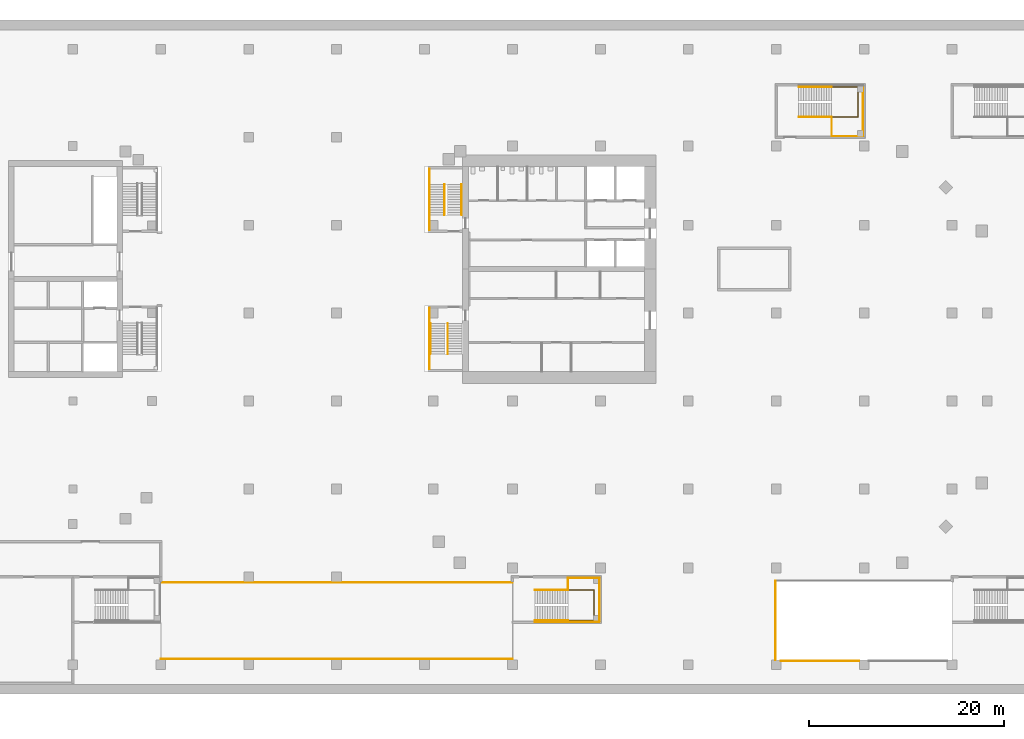
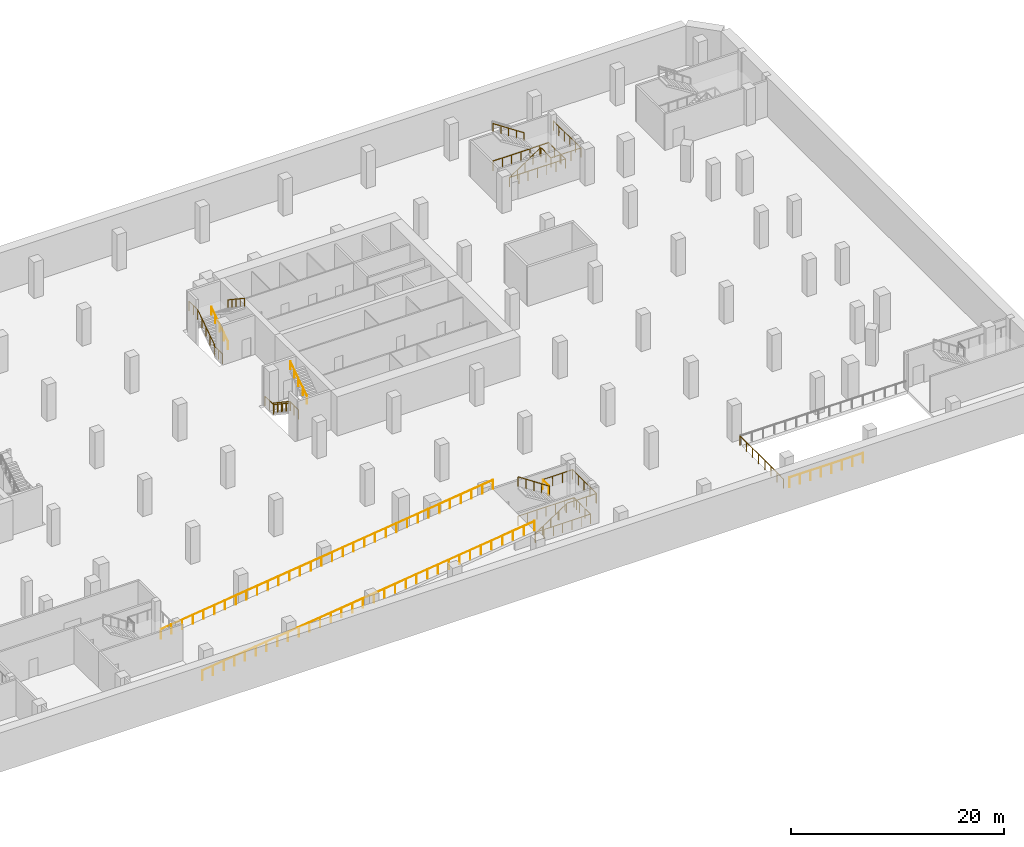
# One storey, part 14 of 16: 21 railings, 2 elements without a shape of their own.
"""IFC4 building model written with IfcOpenShell, lengths in metres."""

import ifcopenshell
import ifcopenshell.guid

model = None  # the IFC model being written
_history = None  # IfcOwnerHistory: only IFC2X3 demands one
_inside = {}  # id of a spatial element -> (the spatial element, [elements in it])
_under = {}  # id of a project, library or spatial element -> (it, [spatial elements below it])
_declared = {}  # id of a project -> (the project, [libraries it declares])
_typed = {}  # id of a type object -> (the type object, [elements of that type])
_made_of = {}  # id of a material, layer set ... -> (it, [elements and type objects made of it])


def new_model(schema):
    """Start an empty IFC model of exactly this schema.

    Asked for "IFC4X3", IfcOpenShell would pick the latest addendum, in which some entities
    have other attributes; the version numbers below select the first issue.
    IFC2X3 requires an IfcOwnerHistory on every rooted entity: one is made here for all.
    """
    global model, _history
    if schema == "IFC4X3":
        model = ifcopenshell.file(schema_version=(4, 3, 0, 0))
    else:
        model = ifcopenshell.file(schema=schema)
    _inside.clear()
    _under.clear()
    _declared.clear()
    _typed.clear()
    _made_of.clear()
    _history = None
    if model.schema == "IFC2X3":
        org = make("IfcOrganization", Name="unknown")
        user = make(
            "IfcPersonAndOrganization",
            ThePerson=make("IfcPerson", FamilyName="unknown"),
            TheOrganization=org,
        )
        app = make(
            "IfcApplication",
            ApplicationDeveloper=org,
            Version="unknown",
            ApplicationFullName="unknown",
            ApplicationIdentifier="unknown",
        )
        _history = make(
            "IfcOwnerHistory",
            OwningUser=user,
            OwningApplication=app,
            ChangeAction="ADDED",
            CreationDate=0,
        )
    return model


def make(cls, **values):
    """One entity of the class cls with the attributes given. An attribute that is None is left unset."""
    return model.create_entity(
        cls, **{name: value for name, value in values.items() if value is not None}
    )


def rooted(cls, **values):
    """An entity with a GlobalId (a new one), such as an element, a storey or a relation."""
    return make(cls, GlobalId=ifcopenshell.guid.new(), OwnerHistory=_history, **values)


def si_unit(unit_type, name, prefix=None):
    """IfcSIUnit, for example si_unit("LENGTHUNIT", "METRE", prefix="MILLI")."""
    return make("IfcSIUnit", UnitType=unit_type, Prefix=prefix, Name=name)


def assignment(units):
    """IfcUnitAssignment: the units of a project."""
    return None if units is None else make("IfcUnitAssignment", Units=units)


def point(xyz):
    """IfcCartesianPoint."""
    return None if xyz is None else make("IfcCartesianPoint", Coordinates=xyz)


def direction(xyz):
    """IfcDirection."""
    return None if xyz is None else make("IfcDirection", DirectionRatios=xyz)


def frame(location, z_axis=None, x_axis=None):
    """IfcAxis2Placement3D, a coordinate frame: its origin and axes. An axis left out is left unset."""
    return make(
        "IfcAxis2Placement3D",
        Location=point(location),
        Axis=direction(z_axis),
        RefDirection=direction(x_axis),
    )


def frame_2d(location, x_axis=None):
    """IfcAxis2Placement2D, a coordinate frame in the plane: its origin and x axis."""
    return make(
        "IfcAxis2Placement2D", Location=point(location), RefDirection=direction(x_axis)
    )


def origin():
    """The frame at (0, 0, 0) with its axes left unset."""
    return frame((0.0, 0.0, 0.0))


def origin_2d():
    """The frame at (0, 0) in the plane with its x axis left unset."""
    return frame_2d((0.0, 0.0))


def place(relative_to, where):
    """IfcLocalPlacement: puts the frame where relative to a parent placement (None: the world)."""
    return make(
        "IfcLocalPlacement", PlacementRelTo=relative_to, RelativePlacement=where
    )


def context(
    kind, dimensions, precision=None, world=None, true_north=None, identifier=None
):
    """IfcGeometricRepresentationContext, for example the 3D "Model" context."""
    return make(
        "IfcGeometricRepresentationContext",
        ContextIdentifier=identifier,
        ContextType=kind,
        CoordinateSpaceDimension=dimensions,
        Precision=precision,
        WorldCoordinateSystem=world,
        TrueNorth=true_north,
    )


def subcontext(parent, identifier, kind, view, scale=None):
    """IfcGeometricRepresentationSubContext, for example "Body" below "Model"."""
    return make(
        "IfcGeometricRepresentationSubContext",
        ContextIdentifier=identifier,
        ContextType=kind,
        ParentContext=parent,
        TargetScale=scale,
        TargetView=view,
    )


def project(units=None, contexts=None):
    """IfcProject with its units and contexts."""
    return rooted(
        "IfcProject",
        Name="project",
        RepresentationContexts=contexts,
        UnitsInContext=assignment(units),
    )


def spatial(cls, under=None, at=None, **own):
    """A site, building, storey or space (cls), placed at a placement, below another one or the project."""
    s = rooted(cls, ObjectPlacement=at, **own)
    if under is not None:
        _under.setdefault(under.id(), (under, []))[1].append(s)
    return s


def profile(cls, at=None, kind="AREA", **sizes):
    """A parametric profile (cls). Its sizes go by their IFC names, for example OverallWidth=200.0."""
    return make(cls, ProfileType=kind, Position=at, **sizes)


def circle(**sizes):
    """IfcCircleProfileDef."""
    return profile("IfcCircleProfileDef", **sizes)


def extrude(swept, where, along, depth):
    """IfcExtrudedAreaSolid: the profile swept, set in the frame where, extruded along a direction by depth."""
    return make(
        "IfcExtrudedAreaSolid",
        SweptArea=swept,
        Position=where,
        ExtrudedDirection=direction(along),
        Depth=depth,
    )


def shape(context_of_items, identifier, shape_type, items):
    """IfcShapeRepresentation: the items that make up one representation, for example the "Body"."""
    return make(
        "IfcShapeRepresentation",
        ContextOfItems=context_of_items,
        RepresentationIdentifier=identifier,
        RepresentationType=shape_type,
        Items=items,
    )


def material(Name=None, Category=None):
    """IfcMaterial."""
    return make("IfcMaterial", Name=Name, Category=Category)


def made_of(thing, what):
    """Note that an element or type object is made of a material, layer set ...; save() writes the relation."""
    if what is not None:
        _made_of.setdefault(what.id(), (what, []))[1].append(thing)
    return thing


def type_object(cls, material=None, **own):
    """A type object (cls), such as IfcWallType, which elements share."""
    return made_of(rooted(cls, **own), material)


def element(
    cls,
    number,
    at=None,
    inside=None,
    cuts=None,
    type_object=None,
    material=None,
    context=None,
    identifier="Body",
    shape_type=None,
    held_by="IfcProductDefinitionShape",
    body=None,
    shapes=None,
    **own,
):
    """One element of the class cls, such as IfcWall. Its Tag is "e" and its number.

    at: its placement. inside: the storey or other place that contains it. cuts: it is an
    opening in that element (IfcRelVoidsElement). A single representation is given by context,
    identifier, shape_type and body (its items); several are given by shapes. held_by: the class
    of the entity that holds the representations. save() writes the other relations.
    """
    e = rooted(cls, Tag="e%d" % number, ObjectPlacement=at, **own)
    if body is not None:
        shapes = [shape(context, identifier, shape_type, body)]
    if shapes is not None:
        e.Representation = make(held_by, Representations=shapes)
    if inside is not None:
        _inside.setdefault(inside.id(), (inside, []))[1].append(e)
    if cuts is not None:
        rooted(
            "IfcRelVoidsElement", RelatingBuildingElement=cuts, RelatedOpeningElement=e
        )
    if type_object is not None:
        _typed.setdefault(type_object.id(), (type_object, []))[1].append(e)
    return made_of(e, material)


def aggregate(whole, parts):
    """IfcRelAggregates: a whole, such as a stair, and the parts it consists of."""
    return rooted("IfcRelAggregates", RelatingObject=whole, RelatedObjects=parts)


def save(model, path):
    """Write the relations noted so far, then the file.

    IfcRelAggregates (storeys below a building ...), IfcRelContainedInSpatialStructure (elements
    in a storey), IfcRelDefinesByType, IfcRelAssociatesMaterial and IfcRelDeclares: one each for
    every whole, place, type object, material and project.
    """
    for whole, parts in _under.values():
        aggregate(whole, parts)
    for where, things in _inside.values():
        rooted(
            "IfcRelContainedInSpatialStructure",
            RelatedElements=things,
            RelatingStructure=where,
        )
    for kind, things in _typed.values():
        rooted("IfcRelDefinesByType", RelatedObjects=things, RelatingType=kind)
    for what, things in _made_of.values():
        rooted("IfcRelAssociatesMaterial", RelatedObjects=things, RelatingMaterial=what)
    for by, libraries in _declared.values():
        rooted("IfcRelDeclares", RelatingContext=by, RelatedDefinitions=libraries)
    model.write(path)


model = new_model("IFC4")

# Units and contexts
model_context = context("Model", 3, precision=1e-05, world=origin(), true_north=direction((0.0, 1.0)))
body_context = subcontext(model_context, "Body", "Model", "MODEL_VIEW")
ifc_project = project(units=[si_unit("LENGTHUNIT", "METRE"), si_unit("AREAUNIT", "SQUARE_METRE"), si_unit("VOLUMEUNIT", "CUBIC_METRE"), si_unit("PLANEANGLEUNIT", "RADIAN"), si_unit("MASSUNIT", "GRAM", prefix="KILO")], contexts=[model_context])

# Site, building, storey
site_placement = place(None, origin())
site = spatial("IfcSite", under=ifc_project, at=site_placement, CompositionType="ELEMENT")
building_placement = place(site_placement, origin())
building = spatial("IfcBuilding", under=site, at=building_placement, Name="Cinnabar Reach Civic Tower", CompositionType="ELEMENT")
storey_placement = place(building_placement, frame((0.0, 0.0, -9.5)))
storey = spatial("IfcBuildingStorey", under=building, at=storey_placement, Name="B2", CompositionType="ELEMENT", Elevation=-9.5)

# Railings
ifc_material_1 = material(Name="Stainless steel and glass", Category="steel")
railing_type_1 = type_object("IfcRailingType", Name="Podium guard 1100", PredefinedType="GUARDRAIL", material=ifc_material_1)
railing_1_placement = place(storey_placement, frame((14.68, -1.35, 2.25)))
element("IfcRailing", 1, at=railing_1_placement, inside=storey, type_object=railing_type_1, Name="Stair guard PS3 B2", PredefinedType="GUARDRAIL", context=body_context, shape_type="SweptSolid", body=[
    extrude(circle(Radius=0.024, at=origin_2d()), frame((0.0, 0.0, 1.076), z_axis=(-0.832428993721, 0.0, 0.554131726589), x_axis=(0.0, -1.0, 0.0)), (0.0, 0.0, 1.0), 4.0604),
    extrude(circle(Radius=0.021, at=origin_2d()), origin(), (0.0, 0.0, 1.0), 1.052),
    extrude(circle(Radius=0.021, at=origin_2d()), frame((-0.845, 0.0, 0.5625)), (0.0, 0.0, 1.0), 1.052),
    extrude(circle(Radius=0.021, at=origin_2d()), frame((-1.69, 0.0, 1.125)), (0.0, 0.0, 1.0), 1.052),
    extrude(circle(Radius=0.021, at=origin_2d()), frame((-2.535, 0.0, 1.6875)), (0.0, 0.0, 1.0), 1.052),
    extrude(circle(Radius=0.021, at=origin_2d()), frame((-3.38, 0.0, 2.25)), (0.0, 0.0, 1.0), 1.052),
])
railing_2_placement = place(storey_placement, frame((14.68, -0.1, 2.25)))
element("IfcRailing", 2, at=railing_2_placement, inside=storey, type_object=railing_type_1, Name="Landing guard PS3 B2", PredefinedType="GUARDRAIL", context=body_context, shape_type="SweptSolid", body=[
    extrude(circle(Radius=0.024, at=origin_2d()), frame((0.0, 0.0, 1.076), z_axis=(1.0, 0.0, 0.0), x_axis=(0.0, 1.0, 0.0)), (0.0, 0.0, 1.0), 3.22),
    extrude(circle(Radius=0.024, at=origin_2d()), frame((3.22, 0.0, 1.076), z_axis=(0.0, -1.0, 0.0), x_axis=(1.0, 0.0, 0.0)), (0.0, 0.0, 1.0), 4.4),
    extrude(circle(Radius=0.021, at=origin_2d()), origin(), (0.0, 0.0, 1.0), 1.052),
    extrude(circle(Radius=0.021, at=origin_2d()), frame((1.0733, 0.0, 0.0)), (0.0, 0.0, 1.0), 1.052),
    extrude(circle(Radius=0.021, at=origin_2d()), frame((2.1467, 0.0, 0.0)), (0.0, 0.0, 1.0), 1.052),
    extrude(circle(Radius=0.021, at=origin_2d()), frame((3.22, 0.0, 0.0)), (0.0, 0.0, 1.0), 1.052),
    extrude(circle(Radius=0.021, at=origin_2d()), frame((3.22, -1.1, 0.0)), (0.0, 0.0, 1.0), 1.052),
    extrude(circle(Radius=0.021, at=origin_2d()), frame((3.22, -2.2, 0.0)), (0.0, 0.0, 1.0), 1.052),
    extrude(circle(Radius=0.021, at=origin_2d()), frame((3.22, -3.3, 0.0)), (0.0, 0.0, 1.0), 1.052),
    extrude(circle(Radius=0.021, at=origin_2d()), frame((3.22, -4.4, 0.0)), (0.0, 0.0, 1.0), 1.052),
])
railing_3_placement = place(storey_placement, frame((14.68, -1.3, 2.25)))
element("IfcRailing", 3, at=railing_3_placement, inside=storey, type_object=railing_type_1, Name="Landing guard PS3 B2 inner", PredefinedType="GUARDRAIL", context=body_context, shape_type="SweptSolid", body=[
    extrude(circle(Radius=0.024, at=origin_2d()), frame((0.0, 0.0, 1.076), z_axis=(0.0, 1.0, 0.0), x_axis=(-1.0, 0.0, 0.0)), (0.0, 0.0, 1.0), 1.2),
    extrude(circle(Radius=0.021, at=origin_2d()), origin(), (0.0, 0.0, 1.0), 1.052),
    extrude(circle(Radius=0.021, at=origin_2d()), frame((0.0, 1.2, 0.0)), (0.0, 0.0, 1.0), 1.052),
])
railing_4_placement = place(storey_placement, frame((11.3, -4.6, 0.0)))
element("IfcRailing", 4, at=railing_4_placement, inside=storey, type_object=railing_type_1, Name="Stair wall side guard PS3 B2", PredefinedType="GUARDRAIL", context=body_context, shape_type="SweptSolid", body=[
    extrude(circle(Radius=0.024, at=origin_2d()), frame((0.0, 0.0, 1.076), z_axis=(0.832428993721, 0.0, 0.554131726589), x_axis=(0.0, 1.0, 0.0)), (0.0, 0.0, 1.0), 4.0604),
    extrude(circle(Radius=0.024, at=origin_2d()), frame((3.38, 0.0, 3.326), z_axis=(1.0, 0.0, 0.0), x_axis=(0.0, 1.0, 0.0)), (0.0, 0.0, 1.0), 3.22),
    extrude(circle(Radius=0.021, at=origin_2d()), origin(), (0.0, 0.0, 1.0), 1.052),
    extrude(circle(Radius=0.021, at=origin_2d()), frame((0.845, 0.0, 0.5625)), (0.0, 0.0, 1.0), 1.052),
    extrude(circle(Radius=0.021, at=origin_2d()), frame((1.69, 0.0, 1.125)), (0.0, 0.0, 1.0), 1.052),
    extrude(circle(Radius=0.021, at=origin_2d()), frame((2.535, 0.0, 1.6875)), (0.0, 0.0, 1.0), 1.052),
    extrude(circle(Radius=0.021, at=origin_2d()), frame((3.38, 0.0, 2.25)), (0.0, 0.0, 1.0), 1.052),
    extrude(circle(Radius=0.021, at=origin_2d()), frame((4.4533, 0.0, 2.25)), (0.0, 0.0, 1.0), 1.052),
    extrude(circle(Radius=0.021, at=origin_2d()), frame((5.5267, 0.0, 2.25)), (0.0, 0.0, 1.0), 1.052),
    extrude(circle(Radius=0.021, at=origin_2d()), frame((6.6, 0.0, 2.25)), (0.0, 0.0, 1.0), 1.052),
])
railing_5_placement = place(storey_placement, frame((11.3, -4.45, 0.0)))
element("IfcRailing", 5, at=railing_5_placement, inside=storey, type_object=railing_type_1, Name="Stair well guard PS3 B2", PredefinedType="GUARDRAIL", context=body_context, shape_type="SweptSolid", body=[
    extrude(circle(Radius=0.024, at=origin_2d()), frame((0.0, 0.0, 1.076), z_axis=(1.0, 0.0, 0.0), x_axis=(0.0, 1.0, 0.0)), (0.0, 0.0, 1.0), 6.05),
    extrude(circle(Radius=0.024, at=origin_2d()), frame((6.05, 0.0, 1.076), z_axis=(0.0, 1.0, 0.0), x_axis=(-1.0, 0.0, 0.0)), (0.0, 0.0, 1.0), 3.1),
    extrude(circle(Radius=0.024, at=origin_2d()), frame((6.05, 3.1, 1.076), z_axis=(-1.0, 0.0, 0.0), x_axis=(0.0, -1.0, 0.0)), (0.0, 0.0, 1.0), 6.05),
    extrude(circle(Radius=0.021, at=origin_2d()), origin(), (0.0, 0.0, 1.0), 1.052),
    extrude(circle(Radius=0.021, at=origin_2d()), frame((1.0083, 0.0, 0.0)), (0.0, 0.0, 1.0), 1.052),
    extrude(circle(Radius=0.021, at=origin_2d()), frame((2.0167, 0.0, 0.0)), (0.0, 0.0, 1.0), 1.052),
    extrude(circle(Radius=0.021, at=origin_2d()), frame((3.025, 0.0, 0.0)), (0.0, 0.0, 1.0), 1.052),
    extrude(circle(Radius=0.021, at=origin_2d()), frame((4.0333, 0.0, 0.0)), (0.0, 0.0, 1.0), 1.052),
    extrude(circle(Radius=0.021, at=origin_2d()), frame((5.0417, 0.0, 0.0)), (0.0, 0.0, 1.0), 1.052),
    extrude(circle(Radius=0.021, at=origin_2d()), frame((6.05, 0.0, 0.0)), (0.0, 0.0, 1.0), 1.052),
    extrude(circle(Radius=0.021, at=origin_2d()), frame((6.05, 1.0333, 0.0)), (0.0, 0.0, 1.0), 1.052),
    extrude(circle(Radius=0.021, at=origin_2d()), frame((6.05, 2.0667, 0.0)), (0.0, 0.0, 1.0), 1.052),
    extrude(circle(Radius=0.021, at=origin_2d()), frame((6.05, 3.1, 0.0)), (0.0, 0.0, 1.0), 1.052),
    extrude(circle(Radius=0.021, at=origin_2d()), frame((5.0417, 3.1, 0.0)), (0.0, 0.0, 1.0), 1.052),
    extrude(circle(Radius=0.021, at=origin_2d()), frame((4.0333, 3.1, 0.0)), (0.0, 0.0, 1.0), 1.052),
    extrude(circle(Radius=0.021, at=origin_2d()), frame((3.025, 3.1, 0.0)), (0.0, 0.0, 1.0), 1.052),
    extrude(circle(Radius=0.021, at=origin_2d()), frame((2.0167, 3.1, 0.0)), (0.0, 0.0, 1.0), 1.052),
    extrude(circle(Radius=0.021, at=origin_2d()), frame((1.0083, 3.1, 0.0)), (0.0, 0.0, 1.0), 1.052),
    extrude(circle(Radius=0.021, at=origin_2d()), frame((0.0, 3.1, 0.0)), (0.0, 0.0, 1.0), 1.052),
])
railing_6_placement = place(storey_placement, frame((38.3, 47.05, 0.0)))
element("IfcRailing", 6, at=railing_6_placement, inside=storey, type_object=railing_type_1, Name="Stair guard PS6 B2", PredefinedType="GUARDRAIL", context=body_context, shape_type="SweptSolid", body=[
    extrude(circle(Radius=0.024, at=origin_2d()), frame((0.0, 0.0, 1.076), z_axis=(0.832428993721, 0.0, 0.554131726589), x_axis=(0.0, 1.0, 0.0)), (0.0, 0.0, 1.0), 4.0604),
    extrude(circle(Radius=0.021, at=origin_2d()), origin(), (0.0, 0.0, 1.0), 1.052),
    extrude(circle(Radius=0.021, at=origin_2d()), frame((0.845, 0.0, 0.5625)), (0.0, 0.0, 1.0), 1.052),
    extrude(circle(Radius=0.021, at=origin_2d()), frame((1.69, 0.0, 1.125)), (0.0, 0.0, 1.0), 1.052),
    extrude(circle(Radius=0.021, at=origin_2d()), frame((2.535, 0.0, 1.6875)), (0.0, 0.0, 1.0), 1.052),
    extrude(circle(Radius=0.021, at=origin_2d()), frame((3.38, 0.0, 2.25)), (0.0, 0.0, 1.0), 1.052),
])
railing_7_placement = place(storey_placement, frame((41.68, 45.1, 2.25)))
element("IfcRailing", 7, at=railing_7_placement, inside=storey, type_object=railing_type_1, Name="Landing guard PS6 B2", PredefinedType="GUARDRAIL", context=body_context, shape_type="SweptSolid", body=[
    extrude(circle(Radius=0.024, at=origin_2d()), frame((0.0, 0.0, 1.076), z_axis=(1.0, 0.0, 0.0), x_axis=(0.0, 1.0, 0.0)), (0.0, 0.0, 1.0), 3.22),
    extrude(circle(Radius=0.024, at=origin_2d()), frame((3.22, 0.0, 1.076), z_axis=(0.0, 1.0, 0.0), x_axis=(-1.0, 0.0, 0.0)), (0.0, 0.0, 1.0), 5.1),
    extrude(circle(Radius=0.021, at=origin_2d()), origin(), (0.0, 0.0, 1.0), 1.052),
    extrude(circle(Radius=0.021, at=origin_2d()), frame((1.0733, 0.0, 0.0)), (0.0, 0.0, 1.0), 1.052),
    extrude(circle(Radius=0.021, at=origin_2d()), frame((2.1467, 0.0, 0.0)), (0.0, 0.0, 1.0), 1.052),
    extrude(circle(Radius=0.021, at=origin_2d()), frame((3.22, 0.0, 0.0)), (0.0, 0.0, 1.0), 1.052),
    extrude(circle(Radius=0.021, at=origin_2d()), frame((3.22, 1.02, 0.0)), (0.0, 0.0, 1.0), 1.052),
    extrude(circle(Radius=0.021, at=origin_2d()), frame((3.22, 2.04, 0.0)), (0.0, 0.0, 1.0), 1.052),
    extrude(circle(Radius=0.021, at=origin_2d()), frame((3.22, 3.06, 0.0)), (0.0, 0.0, 1.0), 1.052),
    extrude(circle(Radius=0.021, at=origin_2d()), frame((3.22, 4.08, 0.0)), (0.0, 0.0, 1.0), 1.052),
    extrude(circle(Radius=0.021, at=origin_2d()), frame((3.22, 5.1, 0.0)), (0.0, 0.0, 1.0), 1.052),
])
railing_8_placement = place(storey_placement, frame((41.68, 45.1, 2.25)))
element("IfcRailing", 8, at=railing_8_placement, inside=storey, type_object=railing_type_1, Name="Landing guard PS6 B2 inner", PredefinedType="GUARDRAIL", context=body_context, shape_type="SweptSolid", body=[
    extrude(circle(Radius=0.024, at=origin_2d()), frame((0.0, 0.0, 1.076), z_axis=(0.0, 1.0, 0.0), x_axis=(-1.0, 0.0, 0.0)), (0.0, 0.0, 1.0), 1.9),
    extrude(circle(Radius=0.021, at=origin_2d()), origin(), (0.0, 0.0, 1.0), 1.052),
    extrude(circle(Radius=0.021, at=origin_2d()), frame((0.0, 0.95, 0.0)), (0.0, 0.0, 1.0), 1.052),
    extrude(circle(Radius=0.021, at=origin_2d()), frame((0.0, 1.9, 0.0)), (0.0, 0.0, 1.0), 1.052),
])
railing_9_placement = place(storey_placement, frame((38.3, 47.05, 0.0)))
element("IfcRailing", 9, at=railing_9_placement, inside=storey, type_object=railing_type_1, Name="Stair well guard PS6 B2", PredefinedType="GUARDRAIL", context=body_context, shape_type="SweptSolid", body=[
    extrude(circle(Radius=0.024, at=origin_2d()), frame((0.0, 0.0, 1.076), z_axis=(1.0, 0.0, 0.0), x_axis=(0.0, 1.0, 0.0)), (0.0, 0.0, 1.0), 6.05),
    extrude(circle(Radius=0.024, at=origin_2d()), frame((6.05, 0.0, 1.076), z_axis=(0.0, 1.0, 0.0), x_axis=(-1.0, 0.0, 0.0)), (0.0, 0.0, 1.0), 3.1),
    extrude(circle(Radius=0.024, at=origin_2d()), frame((6.05, 3.1, 1.076), z_axis=(-1.0, 0.0, 0.0), x_axis=(0.0, -1.0, 0.0)), (0.0, 0.0, 1.0), 6.05),
    extrude(circle(Radius=0.021, at=origin_2d()), origin(), (0.0, 0.0, 1.0), 1.052),
    extrude(circle(Radius=0.021, at=origin_2d()), frame((1.0083, 0.0, 0.0)), (0.0, 0.0, 1.0), 1.052),
    extrude(circle(Radius=0.021, at=origin_2d()), frame((2.0167, 0.0, 0.0)), (0.0, 0.0, 1.0), 1.052),
    extrude(circle(Radius=0.021, at=origin_2d()), frame((3.025, 0.0, 0.0)), (0.0, 0.0, 1.0), 1.052),
    extrude(circle(Radius=0.021, at=origin_2d()), frame((4.0333, 0.0, 0.0)), (0.0, 0.0, 1.0), 1.052),
    extrude(circle(Radius=0.021, at=origin_2d()), frame((5.0417, 0.0, 0.0)), (0.0, 0.0, 1.0), 1.052),
    extrude(circle(Radius=0.021, at=origin_2d()), frame((6.05, 0.0, 0.0)), (0.0, 0.0, 1.0), 1.052),
    extrude(circle(Radius=0.021, at=origin_2d()), frame((6.05, 1.0333, 0.0)), (0.0, 0.0, 1.0), 1.052),
    extrude(circle(Radius=0.021, at=origin_2d()), frame((6.05, 2.0667, 0.0)), (0.0, 0.0, 1.0), 1.052),
    extrude(circle(Radius=0.021, at=origin_2d()), frame((6.05, 3.1, 0.0)), (0.0, 0.0, 1.0), 1.052),
    extrude(circle(Radius=0.021, at=origin_2d()), frame((5.0417, 3.1, 0.0)), (0.0, 0.0, 1.0), 1.052),
    extrude(circle(Radius=0.021, at=origin_2d()), frame((4.0333, 3.1, 0.0)), (0.0, 0.0, 1.0), 1.052),
    extrude(circle(Radius=0.021, at=origin_2d()), frame((3.025, 3.1, 0.0)), (0.0, 0.0, 1.0), 1.052),
    extrude(circle(Radius=0.021, at=origin_2d()), frame((2.0167, 3.1, 0.0)), (0.0, 0.0, 1.0), 1.052),
    extrude(circle(Radius=0.021, at=origin_2d()), frame((1.0083, 3.1, 0.0)), (0.0, 0.0, 1.0), 1.052),
    extrude(circle(Radius=0.021, at=origin_2d()), frame((0.0, 3.1, 0.0)), (0.0, 0.0, 1.0), 1.052),
])
railing_10_placement = place(storey_placement, frame((-27.0, -8.4, 0.0)))
element("IfcRailing", 10, at=railing_10_placement, inside=storey, type_object=railing_type_1, Name="Ramp guard R2-a", PredefinedType="GUARDRAIL", context=body_context, shape_type="SweptSolid", body=[
    extrude(circle(Radius=0.024, at=origin_2d()), frame((0.0, 0.0, 1.076), z_axis=(0.992277876714, 0.0, 0.124034734589), x_axis=(0.0, 1.0, 0.0)), (0.0, 0.0, 1.0), 36.2802),
    extrude(circle(Radius=0.021, at=origin_2d()), origin(), (0.0, 0.0, 1.0), 1.052),
    extrude(circle(Radius=0.021, at=origin_2d()), frame((1.1613, 0.0, 0.1452)), (0.0, 0.0, 1.0), 1.052),
    extrude(circle(Radius=0.021, at=origin_2d()), frame((2.3226, 0.0, 0.2903)), (0.0, 0.0, 1.0), 1.052),
    extrude(circle(Radius=0.021, at=origin_2d()), frame((3.4839, 0.0, 0.4355)), (0.0, 0.0, 1.0), 1.052),
    extrude(circle(Radius=0.021, at=origin_2d()), frame((4.6452, 0.0, 0.5806)), (0.0, 0.0, 1.0), 1.052),
    extrude(circle(Radius=0.021, at=origin_2d()), frame((5.8065, 0.0, 0.7258)), (0.0, 0.0, 1.0), 1.052),
    extrude(circle(Radius=0.021, at=origin_2d()), frame((6.9677, 0.0, 0.871)), (0.0, 0.0, 1.0), 1.052),
    extrude(circle(Radius=0.021, at=origin_2d()), frame((8.129, 0.0, 1.0161)), (0.0, 0.0, 1.0), 1.052),
    extrude(circle(Radius=0.021, at=origin_2d()), frame((9.2903, 0.0, 1.1613)), (0.0, 0.0, 1.0), 1.052),
    extrude(circle(Radius=0.021, at=origin_2d()), frame((10.4516, 0.0, 1.3065)), (0.0, 0.0, 1.0), 1.052),
    extrude(circle(Radius=0.021, at=origin_2d()), frame((11.6129, 0.0, 1.4516)), (0.0, 0.0, 1.0), 1.052),
    extrude(circle(Radius=0.021, at=origin_2d()), frame((12.7742, 0.0, 1.5968)), (0.0, 0.0, 1.0), 1.052),
    extrude(circle(Radius=0.021, at=origin_2d()), frame((13.9355, 0.0, 1.7419)), (0.0, 0.0, 1.0), 1.052),
    extrude(circle(Radius=0.021, at=origin_2d()), frame((15.0968, 0.0, 1.8871)), (0.0, 0.0, 1.0), 1.052),
    extrude(circle(Radius=0.021, at=origin_2d()), frame((16.2581, 0.0, 2.0323)), (0.0, 0.0, 1.0), 1.052),
    extrude(circle(Radius=0.021, at=origin_2d()), frame((17.4194, 0.0, 2.1774)), (0.0, 0.0, 1.0), 1.052),
    extrude(circle(Radius=0.021, at=origin_2d()), frame((18.5806, 0.0, 2.3226)), (0.0, 0.0, 1.0), 1.052),
    extrude(circle(Radius=0.021, at=origin_2d()), frame((19.7419, 0.0, 2.4677)), (0.0, 0.0, 1.0), 1.052),
    extrude(circle(Radius=0.021, at=origin_2d()), frame((20.9032, 0.0, 2.6129)), (0.0, 0.0, 1.0), 1.052),
    extrude(circle(Radius=0.021, at=origin_2d()), frame((22.0645, 0.0, 2.7581)), (0.0, 0.0, 1.0), 1.052),
    extrude(circle(Radius=0.021, at=origin_2d()), frame((23.2258, 0.0, 2.9032)), (0.0, 0.0, 1.0), 1.052),
    extrude(circle(Radius=0.021, at=origin_2d()), frame((24.3871, 0.0, 3.0484)), (0.0, 0.0, 1.0), 1.052),
    extrude(circle(Radius=0.021, at=origin_2d()), frame((25.5484, 0.0, 3.1935)), (0.0, 0.0, 1.0), 1.052),
    extrude(circle(Radius=0.021, at=origin_2d()), frame((26.7097, 0.0, 3.3387)), (0.0, 0.0, 1.0), 1.052),
    extrude(circle(Radius=0.021, at=origin_2d()), frame((27.871, 0.0, 3.4839)), (0.0, 0.0, 1.0), 1.052),
    extrude(circle(Radius=0.021, at=origin_2d()), frame((29.0323, 0.0, 3.629)), (0.0, 0.0, 1.0), 1.052),
    extrude(circle(Radius=0.021, at=origin_2d()), frame((30.1935, 0.0, 3.7742)), (0.0, 0.0, 1.0), 1.052),
    extrude(circle(Radius=0.021, at=origin_2d()), frame((31.3548, 0.0, 3.9194)), (0.0, 0.0, 1.0), 1.052),
    extrude(circle(Radius=0.021, at=origin_2d()), frame((32.5161, 0.0, 4.0645)), (0.0, 0.0, 1.0), 1.052),
    extrude(circle(Radius=0.021, at=origin_2d()), frame((33.6774, 0.0, 4.2097)), (0.0, 0.0, 1.0), 1.052),
    extrude(circle(Radius=0.021, at=origin_2d()), frame((34.8387, 0.0, 4.3548)), (0.0, 0.0, 1.0), 1.052),
    extrude(circle(Radius=0.021, at=origin_2d()), frame((36.0, 0.0, 4.5)), (0.0, 0.0, 1.0), 1.052),
])
railing_11_placement = place(storey_placement, frame((-27.0, -0.6, 0.0)))
element("IfcRailing", 11, at=railing_11_placement, inside=storey, type_object=railing_type_1, Name="Ramp guard R2-b", PredefinedType="GUARDRAIL", context=body_context, shape_type="SweptSolid", body=[
    extrude(circle(Radius=0.024, at=origin_2d()), frame((0.0, 0.0, 1.076), z_axis=(0.992277876714, 0.0, 0.124034734589), x_axis=(0.0, 1.0, 0.0)), (0.0, 0.0, 1.0), 36.2802),
    extrude(circle(Radius=0.021, at=origin_2d()), origin(), (0.0, 0.0, 1.0), 1.052),
    extrude(circle(Radius=0.021, at=origin_2d()), frame((1.1613, 0.0, 0.1452)), (0.0, 0.0, 1.0), 1.052),
    extrude(circle(Radius=0.021, at=origin_2d()), frame((2.3226, 0.0, 0.2903)), (0.0, 0.0, 1.0), 1.052),
    extrude(circle(Radius=0.021, at=origin_2d()), frame((3.4839, 0.0, 0.4355)), (0.0, 0.0, 1.0), 1.052),
    extrude(circle(Radius=0.021, at=origin_2d()), frame((4.6452, 0.0, 0.5806)), (0.0, 0.0, 1.0), 1.052),
    extrude(circle(Radius=0.021, at=origin_2d()), frame((5.8065, 0.0, 0.7258)), (0.0, 0.0, 1.0), 1.052),
    extrude(circle(Radius=0.021, at=origin_2d()), frame((6.9677, 0.0, 0.871)), (0.0, 0.0, 1.0), 1.052),
    extrude(circle(Radius=0.021, at=origin_2d()), frame((8.129, 0.0, 1.0161)), (0.0, 0.0, 1.0), 1.052),
    extrude(circle(Radius=0.021, at=origin_2d()), frame((9.2903, 0.0, 1.1613)), (0.0, 0.0, 1.0), 1.052),
    extrude(circle(Radius=0.021, at=origin_2d()), frame((10.4516, 0.0, 1.3065)), (0.0, 0.0, 1.0), 1.052),
    extrude(circle(Radius=0.021, at=origin_2d()), frame((11.6129, 0.0, 1.4516)), (0.0, 0.0, 1.0), 1.052),
    extrude(circle(Radius=0.021, at=origin_2d()), frame((12.7742, 0.0, 1.5968)), (0.0, 0.0, 1.0), 1.052),
    extrude(circle(Radius=0.021, at=origin_2d()), frame((13.9355, 0.0, 1.7419)), (0.0, 0.0, 1.0), 1.052),
    extrude(circle(Radius=0.021, at=origin_2d()), frame((15.0968, 0.0, 1.8871)), (0.0, 0.0, 1.0), 1.052),
    extrude(circle(Radius=0.021, at=origin_2d()), frame((16.2581, 0.0, 2.0323)), (0.0, 0.0, 1.0), 1.052),
    extrude(circle(Radius=0.021, at=origin_2d()), frame((17.4194, 0.0, 2.1774)), (0.0, 0.0, 1.0), 1.052),
    extrude(circle(Radius=0.021, at=origin_2d()), frame((18.5806, 0.0, 2.3226)), (0.0, 0.0, 1.0), 1.052),
    extrude(circle(Radius=0.021, at=origin_2d()), frame((19.7419, 0.0, 2.4677)), (0.0, 0.0, 1.0), 1.052),
    extrude(circle(Radius=0.021, at=origin_2d()), frame((20.9032, 0.0, 2.6129)), (0.0, 0.0, 1.0), 1.052),
    extrude(circle(Radius=0.021, at=origin_2d()), frame((22.0645, 0.0, 2.7581)), (0.0, 0.0, 1.0), 1.052),
    extrude(circle(Radius=0.021, at=origin_2d()), frame((23.2258, 0.0, 2.9032)), (0.0, 0.0, 1.0), 1.052),
    extrude(circle(Radius=0.021, at=origin_2d()), frame((24.3871, 0.0, 3.0484)), (0.0, 0.0, 1.0), 1.052),
    extrude(circle(Radius=0.021, at=origin_2d()), frame((25.5484, 0.0, 3.1935)), (0.0, 0.0, 1.0), 1.052),
    extrude(circle(Radius=0.021, at=origin_2d()), frame((26.7097, 0.0, 3.3387)), (0.0, 0.0, 1.0), 1.052),
    extrude(circle(Radius=0.021, at=origin_2d()), frame((27.871, 0.0, 3.4839)), (0.0, 0.0, 1.0), 1.052),
    extrude(circle(Radius=0.021, at=origin_2d()), frame((29.0323, 0.0, 3.629)), (0.0, 0.0, 1.0), 1.052),
    extrude(circle(Radius=0.021, at=origin_2d()), frame((30.1935, 0.0, 3.7742)), (0.0, 0.0, 1.0), 1.052),
    extrude(circle(Radius=0.021, at=origin_2d()), frame((31.3548, 0.0, 3.9194)), (0.0, 0.0, 1.0), 1.052),
    extrude(circle(Radius=0.021, at=origin_2d()), frame((32.5161, 0.0, 4.0645)), (0.0, 0.0, 1.0), 1.052),
    extrude(circle(Radius=0.021, at=origin_2d()), frame((33.6774, 0.0, 4.2097)), (0.0, 0.0, 1.0), 1.052),
    extrude(circle(Radius=0.021, at=origin_2d()), frame((34.8387, 0.0, 4.3548)), (0.0, 0.0, 1.0), 1.052),
    extrude(circle(Radius=0.021, at=origin_2d()), frame((36.0, 0.0, 4.5)), (0.0, 0.0, 1.0), 1.052),
])
railing_12_placement = place(storey_placement, frame((36.5, -8.6, 0.0)))
element("IfcRailing", 12, at=railing_12_placement, inside=storey, type_object=railing_type_1, Name="Opening guard B2 rh0-s", PredefinedType="GUARDRAIL", context=body_context, shape_type="SweptSolid", body=[
    extrude(circle(Radius=0.024, at=origin_2d()), frame((0.0, 0.0, 1.076), z_axis=(1.0, 0.0, 0.0), x_axis=(0.0, 1.0, 0.0)), (0.0, 0.0, 1.0), 8.0),
    extrude(circle(Radius=0.021, at=origin_2d()), origin(), (0.0, 0.0, 1.0), 1.052),
    extrude(circle(Radius=0.021, at=origin_2d()), frame((1.1429, 0.0, 0.0)), (0.0, 0.0, 1.0), 1.052),
    extrude(circle(Radius=0.021, at=origin_2d()), frame((2.2857, 0.0, 0.0)), (0.0, 0.0, 1.0), 1.052),
    extrude(circle(Radius=0.021, at=origin_2d()), frame((3.4286, 0.0, 0.0)), (0.0, 0.0, 1.0), 1.052),
    extrude(circle(Radius=0.021, at=origin_2d()), frame((4.5714, 0.0, 0.0)), (0.0, 0.0, 1.0), 1.052),
    extrude(circle(Radius=0.021, at=origin_2d()), frame((5.7143, 0.0, 0.0)), (0.0, 0.0, 1.0), 1.052),
    extrude(circle(Radius=0.021, at=origin_2d()), frame((6.8571, 0.0, 0.0)), (0.0, 0.0, 1.0), 1.052),
    extrude(circle(Radius=0.021, at=origin_2d()), frame((8.0, 0.0, 0.0)), (0.0, 0.0, 1.0), 1.052),
])
railing_13_placement = place(storey_placement, frame((35.9, -8.5, 0.0)))
element("IfcRailing", 13, at=railing_13_placement, inside=storey, type_object=railing_type_1, Name="Opening guard B2 rh0-w", PredefinedType="GUARDRAIL", context=body_context, shape_type="SweptSolid", body=[
    extrude(circle(Radius=0.024, at=origin_2d()), frame((0.0, 0.0, 1.076), z_axis=(0.0, 1.0, 0.0), x_axis=(-1.0, 0.0, 0.0)), (0.0, 0.0, 1.0), 8.1),
    extrude(circle(Radius=0.021, at=origin_2d()), origin(), (0.0, 0.0, 1.0), 1.052),
    extrude(circle(Radius=0.021, at=origin_2d()), frame((0.0, 1.1571, 0.0)), (0.0, 0.0, 1.0), 1.052),
    extrude(circle(Radius=0.021, at=origin_2d()), frame((0.0, 2.3143, 0.0)), (0.0, 0.0, 1.0), 1.052),
    extrude(circle(Radius=0.021, at=origin_2d()), frame((0.0, 3.4714, 0.0)), (0.0, 0.0, 1.0), 1.052),
    extrude(circle(Radius=0.021, at=origin_2d()), frame((0.0, 4.6286, 0.0)), (0.0, 0.0, 1.0), 1.052),
    extrude(circle(Radius=0.021, at=origin_2d()), frame((0.0, 5.7857, 0.0)), (0.0, 0.0, 1.0), 1.052),
    extrude(circle(Radius=0.021, at=origin_2d()), frame((0.0, 6.9429, 0.0)), (0.0, 0.0, 1.0), 1.052),
    extrude(circle(Radius=0.021, at=origin_2d()), frame((0.0, 8.1, 0.0)), (0.0, 0.0, 1.0), 1.052),
])
ifc_material_2 = material(Name="Stainless steel", Category="steel")
railing_type_2 = type_object("IfcRailingType", Name="Podium stair handrail 900", PredefinedType="HANDRAIL", material=ifc_material_2)
railing_14_placement = place(storey_placement, frame((11.3, -4.45, 0.0)))
element("IfcRailing", 14, at=railing_14_placement, inside=storey, type_object=railing_type_2, Name="Stair handrail PS3 B2", PredefinedType="HANDRAIL", context=body_context, shape_type="SweptSolid", body=[
    extrude(circle(Radius=0.024, at=origin_2d()), frame((0.0, 0.0, 0.876), z_axis=(0.832428993721, 0.0, 0.554131726589), x_axis=(0.0, 1.0, 0.0)), (0.0, 0.0, 1.0), 4.0604),
    extrude(circle(Radius=0.021, at=origin_2d()), origin(), (0.0, 0.0, 1.0), 0.852),
    extrude(circle(Radius=0.021, at=origin_2d()), frame((0.845, 0.0, 0.5625)), (0.0, 0.0, 1.0), 0.852),
    extrude(circle(Radius=0.021, at=origin_2d()), frame((1.69, 0.0, 1.125)), (0.0, 0.0, 1.0), 0.852),
    extrude(circle(Radius=0.021, at=origin_2d()), frame((2.535, 0.0, 1.6875)), (0.0, 0.0, 1.0), 0.852),
    extrude(circle(Radius=0.021, at=origin_2d()), frame((3.38, 0.0, 2.25)), (0.0, 0.0, 1.0), 0.852),
])
railing_15_placement = place(storey_placement, frame((41.68, 50.15, 2.25)))
element("IfcRailing", 15, at=railing_15_placement, inside=storey, type_object=railing_type_2, Name="Stair handrail PS6 B2", PredefinedType="HANDRAIL", context=body_context, shape_type="SweptSolid", body=[
    extrude(circle(Radius=0.024, at=origin_2d()), frame((0.0, 0.0, 0.876), z_axis=(-0.832428993721, 0.0, 0.554131726589), x_axis=(0.0, -1.0, 0.0)), (0.0, 0.0, 1.0), 4.0604),
    extrude(circle(Radius=0.021, at=origin_2d()), origin(), (0.0, 0.0, 1.0), 0.852),
    extrude(circle(Radius=0.021, at=origin_2d()), frame((-0.845, 0.0, 0.5625)), (0.0, 0.0, 1.0), 0.852),
    extrude(circle(Radius=0.021, at=origin_2d()), frame((-1.69, 0.0, 1.125)), (0.0, 0.0, 1.0), 0.852),
    extrude(circle(Radius=0.021, at=origin_2d()), frame((-2.535, 0.0, 1.6875)), (0.0, 0.0, 1.0), 0.852),
    extrude(circle(Radius=0.021, at=origin_2d()), frame((-3.38, 0.0, 2.25)), (0.0, 0.0, 1.0), 0.852),
])

# Stair, railings
ifc_material_3 = material(Name="Concrete C40/50", Category="concrete")
stair_type = type_object("IfcStairType", Name="T1 Exit stair, half-turn", PredefinedType="HALF_TURN_STAIR", material=ifc_material_3)
stair_1_placement = place(storey_placement, origin())
stair_1 = element("IfcStair", 16, at=stair_1_placement, inside=storey, type_object=stair_type, Name="Stair T1-S1", PredefinedType="HALF_TURN_STAIR")
ifc_material_4 = material(Name="Stainless steel tube", Category="steel")
railing_type_3 = type_object("IfcRailingType", Name="T1 Stair handrail, stainless tube 48", PredefinedType="HANDRAIL", material=ifc_material_4)
railing_16_placement = place(storey_placement, frame((0.6, 25.95, 0.1731)))
railing_16 = element("IfcRailing", 17, at=railing_16_placement, type_object=railing_type_3, Name="T1-S1 handrail 1", PredefinedType="HANDRAIL", context=body_context, shape_type="SweptSolid", body=[
    extrude(circle(Radius=0.024, at=origin_2d()), frame((0.0, 0.0, 0.876), z_axis=(0.0, -0.832431833801, 0.554127460135), x_axis=(1.0, 0.0, 0.0)), (0.0, 0.0, 1.0), 3.7481),
    extrude(circle(Radius=0.021, at=origin_2d()), origin(), (0.0, 0.0, 1.0), 0.852),
    extrude(circle(Radius=0.021, at=origin_2d()), frame((0.0, -0.78, 0.5192)), (0.0, 0.0, 1.0), 0.852),
    extrude(circle(Radius=0.021, at=origin_2d()), frame((0.0, -1.56, 1.0385)), (0.0, 0.0, 1.0), 0.852),
    extrude(circle(Radius=0.021, at=origin_2d()), frame((0.0, -2.34, 1.5577)), (0.0, 0.0, 1.0), 0.852),
    extrude(circle(Radius=0.021, at=origin_2d()), frame((0.0, -3.12, 2.0769)), (0.0, 0.0, 1.0), 0.852),
])
railing_17_placement = place(storey_placement, frame((2.375, 22.83, 2.4231)))
railing_17 = element("IfcRailing", 18, at=railing_17_placement, type_object=railing_type_3, Name="T1-S1 handrail 2", PredefinedType="HANDRAIL", context=body_context, shape_type="SweptSolid", body=[
    extrude(circle(Radius=0.024, at=origin_2d()), frame((0.0, 0.0, 0.876), z_axis=(0.0, 0.832431833801, 0.554127460135), x_axis=(-1.0, 0.0, 0.0)), (0.0, 0.0, 1.0), 3.7481),
    extrude(circle(Radius=0.021, at=origin_2d()), origin(), (0.0, 0.0, 1.0), 0.852),
    extrude(circle(Radius=0.021, at=origin_2d()), frame((0.0, 0.78, 0.5192)), (0.0, 0.0, 1.0), 0.852),
    extrude(circle(Radius=0.021, at=origin_2d()), frame((0.0, 1.56, 1.0385)), (0.0, 0.0, 1.0), 0.852),
    extrude(circle(Radius=0.021, at=origin_2d()), frame((0.0, 2.34, 1.5577)), (0.0, 0.0, 1.0), 0.852),
    extrude(circle(Radius=0.021, at=origin_2d()), frame((0.0, 3.12, 2.0769)), (0.0, 0.0, 1.0), 0.852),
])

stair_2_placement = place(storey_placement, origin())
stair_2 = element("IfcStair", 19, at=stair_2_placement, inside=storey, type_object=stair_type, Name="Stair T1-S2", PredefinedType="HALF_TURN_STAIR")
railing_18_placement = place(storey_placement, frame((2.025, 37.05, 0.1731)))
railing_18 = element("IfcRailing", 20, at=railing_18_placement, type_object=railing_type_3, Name="T1-S2 handrail 1", PredefinedType="HANDRAIL", context=body_context, shape_type="SweptSolid", body=[
    extrude(circle(Radius=0.024, at=origin_2d()), frame((0.0, 0.0, 0.876), z_axis=(0.0, 0.832431833801, 0.554127460135), x_axis=(-1.0, 0.0, 0.0)), (0.0, 0.0, 1.0), 3.7481),
    extrude(circle(Radius=0.021, at=origin_2d()), origin(), (0.0, 0.0, 1.0), 0.852),
    extrude(circle(Radius=0.021, at=origin_2d()), frame((0.0, 0.78, 0.5192)), (0.0, 0.0, 1.0), 0.852),
    extrude(circle(Radius=0.021, at=origin_2d()), frame((0.0, 1.56, 1.0385)), (0.0, 0.0, 1.0), 0.852),
    extrude(circle(Radius=0.021, at=origin_2d()), frame((0.0, 2.34, 1.5577)), (0.0, 0.0, 1.0), 0.852),
    extrude(circle(Radius=0.021, at=origin_2d()), frame((0.0, 3.12, 2.0769)), (0.0, 0.0, 1.0), 0.852),
])
railing_19_placement = place(storey_placement, frame((3.8, 40.17, 2.4231)))
railing_19 = element("IfcRailing", 21, at=railing_19_placement, type_object=railing_type_3, Name="T1-S2 handrail 2", PredefinedType="HANDRAIL", context=body_context, shape_type="SweptSolid", body=[
    extrude(circle(Radius=0.024, at=origin_2d()), frame((0.0, 0.0, 0.876), z_axis=(0.0, -0.832431833801, 0.554127460135), x_axis=(1.0, 0.0, 0.0)), (0.0, 0.0, 1.0), 3.7481),
    extrude(circle(Radius=0.021, at=origin_2d()), origin(), (0.0, 0.0, 1.0), 0.852),
    extrude(circle(Radius=0.021, at=origin_2d()), frame((0.0, -0.78, 0.5192)), (0.0, 0.0, 1.0), 0.852),
    extrude(circle(Radius=0.021, at=origin_2d()), frame((0.0, -1.56, 1.0385)), (0.0, 0.0, 1.0), 0.852),
    extrude(circle(Radius=0.021, at=origin_2d()), frame((0.0, -2.34, 1.5577)), (0.0, 0.0, 1.0), 0.852),
    extrude(circle(Radius=0.021, at=origin_2d()), frame((0.0, -3.12, 2.0769)), (0.0, 0.0, 1.0), 0.852),
])

# Railing
ifc_material_5 = material(Name="Stainless steel and laminated glass", Category="steel")
railing_type_4 = type_object("IfcRailingType", Name="T1 stair guard, stainless balustrade 1100", PredefinedType="GUARDRAIL", material=ifc_material_5)
railing_20_placement = place(storey_placement, frame((0.53, 27.5, 0.0)))
railing_20 = element("IfcRailing", 22, at=railing_20_placement, type_object=railing_type_4, Name="T1-S1 guard 1", PredefinedType="GUARDRAIL", context=body_context, shape_type="SweptSolid", body=[
    extrude(circle(Radius=0.024, at=origin_2d()), frame((0.0, 0.0, 1.076), z_axis=(0.0, -1.0, 0.0), x_axis=(1.0, 0.0, 0.0)), (0.0, 0.0, 1.0), 1.55),
    extrude(circle(Radius=0.024, at=origin_2d()), frame((0.0, -1.55, 1.076), z_axis=(0.0, 0.0, 1.0), x_axis=(1.0, 0.0, 0.0)), (0.0, 0.0, 1.0), 0.1731),
    extrude(circle(Radius=0.024, at=origin_2d()), frame((0.0, -1.55, 1.2491), z_axis=(0.0, -0.832431833801, 0.554127460135), x_axis=(1.0, 0.0, 0.0)), (0.0, 0.0, 1.0), 3.7481),
    extrude(circle(Radius=0.024, at=origin_2d()), frame((0.0, -4.67, 3.326), z_axis=(0.0, -1.0, 0.0), x_axis=(1.0, 0.0, 0.0)), (0.0, 0.0, 1.0), 1.58),
    extrude(circle(Radius=0.021, at=origin_2d()), origin(), (0.0, 0.0, 1.0), 1.052),
    extrude(circle(Radius=0.021, at=origin_2d()), frame((0.0, -0.775, 0.0)), (0.0, 0.0, 1.0), 1.052),
    extrude(circle(Radius=0.021, at=origin_2d()), frame((0.0, -1.55, 0.0)), (0.0, 0.0, 1.0), 1.052),
    extrude(circle(Radius=0.021, at=origin_2d()), frame((0.0, -1.55, 0.1731)), (0.0, 0.0, 1.0), 1.052),
    extrude(circle(Radius=0.021, at=origin_2d()), frame((0.0, -2.33, 0.6923)), (0.0, 0.0, 1.0), 1.052),
    extrude(circle(Radius=0.021, at=origin_2d()), frame((0.0, -3.11, 1.2115)), (0.0, 0.0, 1.0), 1.052),
    extrude(circle(Radius=0.021, at=origin_2d()), frame((0.0, -3.89, 1.7308)), (0.0, 0.0, 1.0), 1.052),
    extrude(circle(Radius=0.021, at=origin_2d()), frame((0.0, -4.67, 2.25)), (0.0, 0.0, 1.0), 1.052),
    extrude(circle(Radius=0.021, at=origin_2d()), frame((0.0, -5.46, 2.25)), (0.0, 0.0, 1.0), 1.052),
    extrude(circle(Radius=0.021, at=origin_2d()), frame((0.0, -6.25, 2.25)), (0.0, 0.0, 1.0), 1.052),
])

aggregate(stair_1, [railing_16, railing_17, railing_20])

railing_21_placement = place(storey_placement, frame((0.53, 35.5, 0.0)))
railing_21 = element("IfcRailing", 23, at=railing_21_placement, type_object=railing_type_4, Name="T1-S2 guard 1", PredefinedType="GUARDRAIL", context=body_context, shape_type="SweptSolid", body=[
    extrude(circle(Radius=0.024, at=origin_2d()), frame((0.0, 0.0, 1.076), z_axis=(0.0, 1.0, 0.0), x_axis=(-1.0, 0.0, 0.0)), (0.0, 0.0, 1.0), 1.55),
    extrude(circle(Radius=0.024, at=origin_2d()), frame((0.0, 1.55, 1.076), z_axis=(0.0, 0.0, 1.0), x_axis=(1.0, 0.0, 0.0)), (0.0, 0.0, 1.0), 0.1731),
    extrude(circle(Radius=0.024, at=origin_2d()), frame((0.0, 1.55, 1.2491), z_axis=(0.0, 0.832431833801, 0.554127460135), x_axis=(-1.0, 0.0, 0.0)), (0.0, 0.0, 1.0), 3.7481),
    extrude(circle(Radius=0.024, at=origin_2d()), frame((0.0, 4.67, 3.326), z_axis=(0.0, 1.0, 0.0), x_axis=(-1.0, 0.0, 0.0)), (0.0, 0.0, 1.0), 1.58),
    extrude(circle(Radius=0.021, at=origin_2d()), origin(), (0.0, 0.0, 1.0), 1.052),
    extrude(circle(Radius=0.021, at=origin_2d()), frame((0.0, 0.775, 0.0)), (0.0, 0.0, 1.0), 1.052),
    extrude(circle(Radius=0.021, at=origin_2d()), frame((0.0, 1.55, 0.0)), (0.0, 0.0, 1.0), 1.052),
    extrude(circle(Radius=0.021, at=origin_2d()), frame((0.0, 1.55, 0.1731)), (0.0, 0.0, 1.0), 1.052),
    extrude(circle(Radius=0.021, at=origin_2d()), frame((0.0, 2.33, 0.6923)), (0.0, 0.0, 1.0), 1.052),
    extrude(circle(Radius=0.021, at=origin_2d()), frame((0.0, 3.11, 1.2115)), (0.0, 0.0, 1.0), 1.052),
    extrude(circle(Radius=0.021, at=origin_2d()), frame((0.0, 3.89, 1.7308)), (0.0, 0.0, 1.0), 1.052),
    extrude(circle(Radius=0.021, at=origin_2d()), frame((0.0, 4.67, 2.25)), (0.0, 0.0, 1.0), 1.052),
    extrude(circle(Radius=0.021, at=origin_2d()), frame((0.0, 5.46, 2.25)), (0.0, 0.0, 1.0), 1.052),
    extrude(circle(Radius=0.021, at=origin_2d()), frame((0.0, 6.25, 2.25)), (0.0, 0.0, 1.0), 1.052),
])

aggregate(stair_2, [railing_18, railing_19, railing_21])

save(model, "model.ifc")
